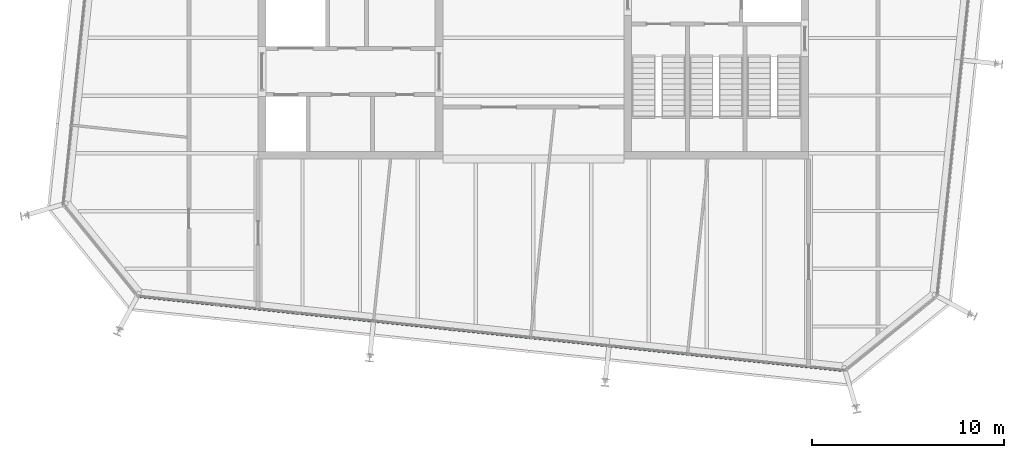
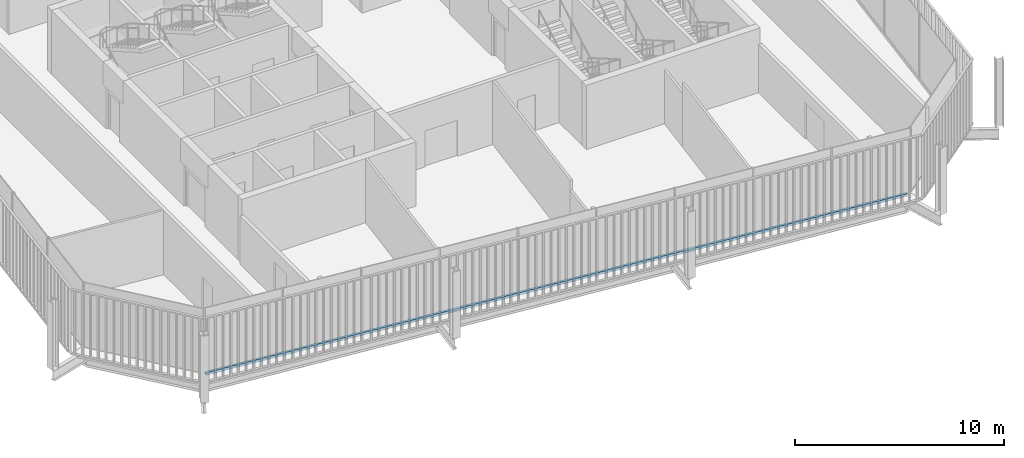
# One storey, part 4 of 20: 1 member, 1 element without a shape of its own.
"""IFC4 building model written with IfcOpenShell, lengths in metres."""

from ifc_helpers import new_model, si_unit, direction, frame, origin, origin_2d, place, context, subcontext, project, spatial, rectangle, extrude, material, layer, layer_set, material_profile, profile_set, type_object, element, aggregate, save


model = new_model("IFC4")

# Units and contexts
model_context = context("Model", 3, precision=1e-05, world=origin(), true_north=direction((0.0, 1.0)))
body_context = subcontext(model_context, "Body", "Model", "MODEL_VIEW")
ifc_project = project(units=[si_unit("LENGTHUNIT", "METRE"), si_unit("AREAUNIT", "SQUARE_METRE"), si_unit("VOLUMEUNIT", "CUBIC_METRE"), si_unit("PLANEANGLEUNIT", "RADIAN"), si_unit("MASSUNIT", "GRAM", prefix="KILO")], contexts=[model_context])

# Site, building, storey
site_placement = place(None, origin())
site = spatial("IfcSite", under=ifc_project, at=site_placement, CompositionType="ELEMENT")
building_placement = place(site_placement, origin())
building = spatial("IfcBuilding", under=site, at=building_placement, Name="Millrace Tower", CompositionType="ELEMENT")
storey_placement = place(building_placement, frame((0.0, 0.0, 287.699951171875)))
storey = spatial("IfcBuildingStorey", under=building, at=storey_placement, Name="L66", CompositionType="ELEMENT", Elevation=287.699951171875)

# Curtain wall, member
ifc_material_1 = material(Name="Aluminium and glass", Category="aluminium")
ifc_layer = layer(ifc_material_1, 0.14990234375)
ifc_layer_set = layer_set([ifc_layer], Name="Aluminium and glass")
curtain_wall_type = type_object("IfcCurtainWallType", Name="CW-1 office vision curtain wall", PredefinedType="NOTDEFINED", material=ifc_layer_set)
curtain_wall_placement = place(storey_placement, origin())
curtain_wall = element("IfcCurtainWall", 1, at=curtain_wall_placement, inside=storey, type_object=curtain_wall_type, Name="Curtain wall E-F02 L66", PredefinedType="NOTDEFINED")
ifc_material_2 = material(Name="Aluminium", Category="aluminium")
ifc_material_profile = material_profile(ifc_material_2, rectangle(XDim=0.14990234375, YDim=0.139892578125, at=origin_2d()))
ifc_profile_set = profile_set([ifc_material_profile], Name="Aluminium")
member_type = type_object("IfcMemberType", Name="CW-1 office vision curtain wall transom", PredefinedType="USERDEFINED", material=ifc_profile_set)
member_placement = place(storey_placement, frame((-20.435302734375, -16.431884765625, 0.070068359375), z_axis=(0.994521952886, -0.104527916025, 0.0), x_axis=(0.104527916025, 0.994521952886, 0.0)))
member = element("IfcMember", 2, at=member_placement, type_object=member_type, Name="CW1 transom E-F02.1", ObjectType="TRANSOM", PredefinedType="USERDEFINED", context=body_context, shape_type="SweptSolid", body=[
    extrude(rectangle(XDim=0.14990234375, YDim=0.139892578125, at=origin_2d()), origin(), (0.0, 0.0, 1.0), 36.699951171875),
])
aggregate(curtain_wall, [member])

save(model, "model.ifc")
